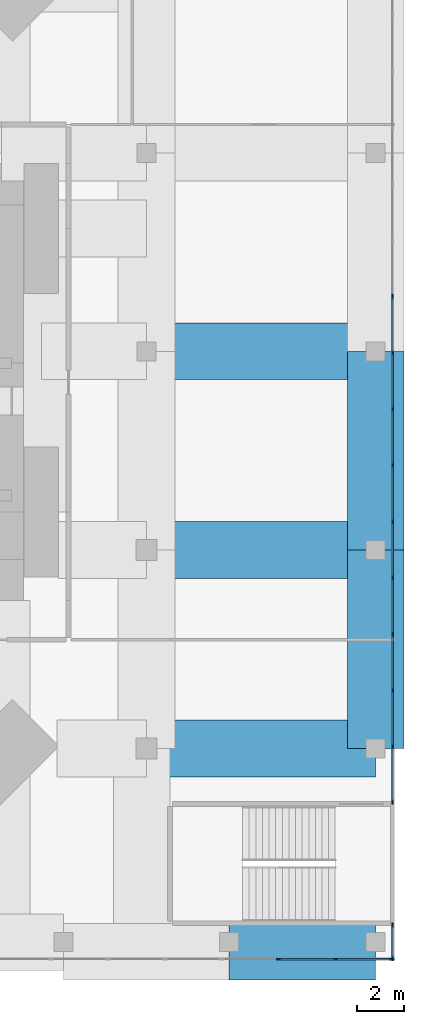
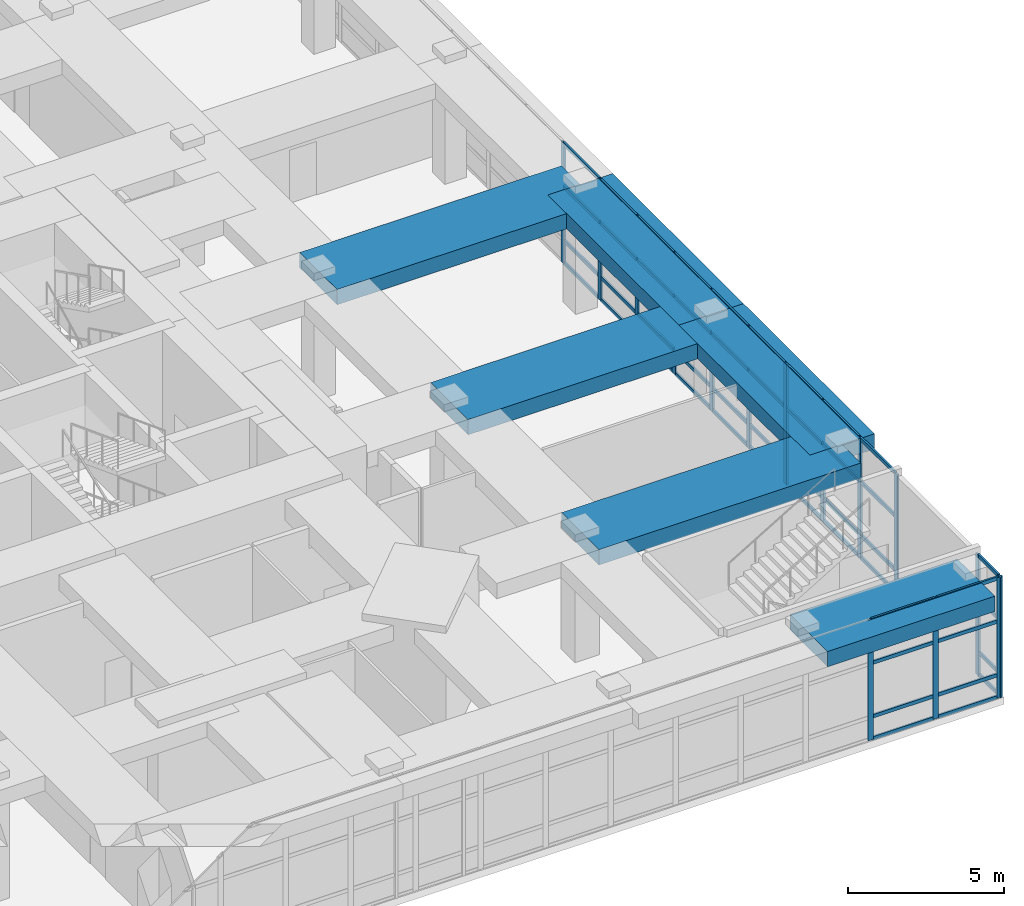
# One storey, part 11 of 22: 63 members, 6 beams, 3 elements without a shape of their own.
"""IFC4 building model written with IfcOpenShell, lengths in metres."""

from ifc_helpers import new_model, si_unit, direction, frame, origin, origin_2d, place, context, subcontext, project, spatial, rectangle, extrude, material, material_profile, profile_set, type_object, element, aggregate, save


model = new_model("IFC4")

# Units and contexts
model_context = context("Model", 3, precision=1e-05, world=origin(), true_north=direction((0.0, 1.0)))
body_context = subcontext(model_context, "Body", "Model", "MODEL_VIEW")
ifc_project = project(units=[si_unit("LENGTHUNIT", "METRE"), si_unit("AREAUNIT", "SQUARE_METRE"), si_unit("VOLUMEUNIT", "CUBIC_METRE"), si_unit("PLANEANGLEUNIT", "RADIAN"), si_unit("MASSUNIT", "GRAM", prefix="KILO")], contexts=[model_context])

# Site, building, storey
site_placement = place(None, origin())
site = spatial("IfcSite", under=ifc_project, at=site_placement, CompositionType="ELEMENT")
building_placement = place(site_placement, origin())
building = spatial("IfcBuilding", under=site, at=building_placement, Name="Jalousie Tower", CompositionType="ELEMENT")
storey_placement = place(building_placement, frame((0.0, 0.0, 6.0)))
storey = spatial("IfcBuildingStorey", under=building, at=storey_placement, Name="L01", CompositionType="ELEMENT", Elevation=6.0)

# Curtain wall, members
ifc_material_1 = material(Name="Aluminium curtain wall", Category="aluminium")
curtain_wall_type = type_object("IfcCurtainWallType", Name="PODIUM WINDOW WALL", PredefinedType="USERDEFINED", material=ifc_material_1)
curtain_wall_1_placement = place(storey_placement, origin())
curtain_wall_1 = element("IfcCurtainWall", 1, at=curtain_wall_1_placement, inside=storey, type_object=curtain_wall_type, Name="Podium Window Wall L01 1", ObjectType="PODIUM WINDOW WALL", PredefinedType="USERDEFINED")
ifc_material_2 = material(Name="Aluminium mullion", Category="aluminium")
ifc_material_profile_1 = material_profile(ifc_material_2, rectangle(XDim=0.070068359375, YDim=0.199951171875, at=origin_2d()), Name="MULLION 70x200")
ifc_profile_set_1 = profile_set([ifc_material_profile_1], Name="Aluminium mullion")
member_type_1 = type_object("IfcMemberType", Name="PODIUM WINDOW WALL MULLION", PredefinedType="MULLION", material=ifc_profile_set_1)
member_1_placement = place(storey_placement, frame((55.096923828125, -5.91259765625, 0.0), z_axis=(0.0, 0.0, 1.0), x_axis=(0.0, 1.0, 0.0)))
member_1 = element("IfcMember", 2, at=member_1_placement, type_object=member_type_1, Name="CW-P mullion 28", PredefinedType="MULLION", context=body_context, shape_type="SweptSolid", body=[
    extrude(rectangle(XDim=0.070068359375, YDim=0.199951171875, at=origin_2d()), origin(), (0.0, 0.0, 1.0), 4.719970703125),
])
member_2_placement = place(storey_placement, frame((57.504638671875, -5.91259765625, 0.0), z_axis=(0.0, 0.0, 1.0), x_axis=(0.0, 1.0, 0.0)))
member_2 = element("IfcMember", 3, at=member_2_placement, type_object=member_type_1, Name="CW-P mullion 29", PredefinedType="MULLION", context=body_context, shape_type="SweptSolid", body=[
    extrude(rectangle(XDim=0.070068359375, YDim=0.199951171875, at=origin_2d()), origin(), (0.0, 0.0, 1.0), 4.719970703125),
])
member_3_placement = place(storey_placement, frame((59.87744140625, -5.91259765625, 0.0), z_axis=(0.0, 0.0, 1.0), x_axis=(0.0, 1.0, 0.0)))
member_3 = element("IfcMember", 4, at=member_3_placement, type_object=member_type_1, Name="CW-P mullion 30", PredefinedType="MULLION", context=body_context, shape_type="SweptSolid", body=[
    extrude(rectangle(XDim=0.070068359375, YDim=0.199951171875, at=origin_2d()), origin(), (0.0, 0.0, 1.0), 4.719970703125),
])

curtain_wall_2_placement = place(storey_placement, origin())
curtain_wall_2 = element("IfcCurtainWall", 5, at=curtain_wall_2_placement, inside=storey, type_object=curtain_wall_type, Name="Podium Window Wall L01 11", ObjectType="PODIUM WINDOW WALL", PredefinedType="USERDEFINED")
member_4_placement = place(storey_placement, frame((59.91259765625, -5.87744140625, 0.0), z_axis=(0.0, 0.0, 1.0), x_axis=(-1.0, 0.0, 0.0)))
member_4 = element("IfcMember", 6, at=member_4_placement, type_object=member_type_1, Name="CW-P mullion 1", PredefinedType="MULLION", context=body_context, shape_type="SweptSolid", body=[
    extrude(rectangle(XDim=0.070068359375, YDim=0.199951171875, at=origin_2d()), origin(), (0.0, 0.0, 1.0), 4.719970703125),
])
member_5_placement = place(storey_placement, frame((59.91259765625, -4.485107421875, 0.0), z_axis=(0.0, 0.0, 1.0), x_axis=(-1.0, 0.0, 0.0)))
member_5 = element("IfcMember", 7, at=member_5_placement, type_object=member_type_1, Name="CW-P mullion 2", PredefinedType="MULLION", context=body_context, shape_type="SweptSolid", body=[
    extrude(rectangle(XDim=0.070068359375, YDim=0.199951171875, at=origin_2d()), origin(), (0.0, 0.0, 1.0), 4.719970703125),
])

curtain_wall_3_placement = place(storey_placement, origin())
curtain_wall_3 = element("IfcCurtainWall", 8, at=curtain_wall_3_placement, inside=storey, type_object=curtain_wall_type, Name="Podium Window Wall L01 13", ObjectType="PODIUM WINDOW WALL", PredefinedType="USERDEFINED")
member_6_placement = place(storey_placement, frame((59.91259765625, 0.735107421875, 0.0), z_axis=(0.0, 0.0, 1.0), x_axis=(-1.0, 0.0, 0.0)))
member_6 = element("IfcMember", 9, at=member_6_placement, type_object=member_type_1, Name="CW-P mullion 1", PredefinedType="MULLION", context=body_context, shape_type="SweptSolid", body=[
    extrude(rectangle(XDim=0.070068359375, YDim=0.199951171875, at=origin_2d()), origin(), (0.0, 0.0, 1.0), 4.719970703125),
])
member_7_placement = place(storey_placement, frame((59.91259765625, 3.07958984375, 0.0), z_axis=(0.0, 0.0, 1.0), x_axis=(-1.0, 0.0, 0.0)))
member_7 = element("IfcMember", 10, at=member_7_placement, type_object=member_type_1, Name="CW-P mullion 2", PredefinedType="MULLION", context=body_context, shape_type="SweptSolid", body=[
    extrude(rectangle(XDim=0.070068359375, YDim=0.199951171875, at=origin_2d()), origin(), (0.0, 0.0, 1.0), 4.719970703125),
])
member_8_placement = place(storey_placement, frame((59.91259765625, 5.459228515625, 0.0), z_axis=(0.0, 0.0, 1.0), x_axis=(-1.0, 0.0, 0.0)))
member_8 = element("IfcMember", 11, at=member_8_placement, type_object=member_type_1, Name="CW-P mullion 3", PredefinedType="MULLION", context=body_context, shape_type="SweptSolid", body=[
    extrude(rectangle(XDim=0.070068359375, YDim=0.199951171875, at=origin_2d()), origin(), (0.0, 0.0, 1.0), 4.719970703125),
])
member_9_placement = place(storey_placement, frame((59.91259765625, 7.8388671875, 0.0), z_axis=(0.0, 0.0, 1.0), x_axis=(-1.0, 0.0, 0.0)))
member_9 = element("IfcMember", 12, at=member_9_placement, type_object=member_type_1, Name="CW-P mullion 4", PredefinedType="MULLION", context=body_context, shape_type="SweptSolid", body=[
    extrude(rectangle(XDim=0.070068359375, YDim=0.199951171875, at=origin_2d()), origin(), (0.0, 0.0, 1.0), 4.719970703125),
])
member_10_placement = place(storey_placement, frame((59.91259765625, 10.218505859375, 0.0), z_axis=(0.0, 0.0, 1.0), x_axis=(-1.0, 0.0, 0.0)))
member_10 = element("IfcMember", 13, at=member_10_placement, type_object=member_type_1, Name="CW-P mullion 5", PredefinedType="MULLION", context=body_context, shape_type="SweptSolid", body=[
    extrude(rectangle(XDim=0.070068359375, YDim=0.199951171875, at=origin_2d()), origin(), (0.0, 0.0, 1.0), 4.719970703125),
])
member_11_placement = place(storey_placement, frame((59.91259765625, 12.59814453125, 0.0), z_axis=(0.0, 0.0, 1.0), x_axis=(-1.0, 0.0, 0.0)))
member_11 = element("IfcMember", 14, at=member_11_placement, type_object=member_type_1, Name="CW-P mullion 6", PredefinedType="MULLION", context=body_context, shape_type="SweptSolid", body=[
    extrude(rectangle(XDim=0.070068359375, YDim=0.199951171875, at=origin_2d()), origin(), (0.0, 0.0, 1.0), 4.719970703125),
])
member_12_placement = place(storey_placement, frame((59.91259765625, 14.9775390625, 0.0), z_axis=(0.0, 0.0, 1.0), x_axis=(-1.0, 0.0, 0.0)))
member_12 = element("IfcMember", 15, at=member_12_placement, type_object=member_type_1, Name="CW-P mullion 7", PredefinedType="MULLION", context=body_context, shape_type="SweptSolid", body=[
    extrude(rectangle(XDim=0.070068359375, YDim=0.199951171875, at=origin_2d()), origin(), (0.0, 0.0, 1.0), 4.719970703125),
])
member_13_placement = place(storey_placement, frame((59.91259765625, 17.357177734375, 0.0), z_axis=(0.0, 0.0, 1.0), x_axis=(-1.0, 0.0, 0.0)))
member_13 = element("IfcMember", 16, at=member_13_placement, type_object=member_type_1, Name="CW-P mullion 8", PredefinedType="MULLION", context=body_context, shape_type="SweptSolid", body=[
    extrude(rectangle(XDim=0.070068359375, YDim=0.199951171875, at=origin_2d()), origin(), (0.0, 0.0, 1.0), 4.719970703125),
])
member_14_placement = place(storey_placement, frame((59.91259765625, 19.73681640625, 0.0), z_axis=(0.0, 0.0, 1.0), x_axis=(-1.0, 0.0, 0.0)))
member_14 = element("IfcMember", 17, at=member_14_placement, type_object=member_type_1, Name="CW-P mullion 9", PredefinedType="MULLION", context=body_context, shape_type="SweptSolid", body=[
    extrude(rectangle(XDim=0.070068359375, YDim=0.199951171875, at=origin_2d()), origin(), (0.0, 0.0, 1.0), 4.719970703125),
])
member_15_placement = place(storey_placement, frame((59.91259765625, 22.116455078125, 0.0), z_axis=(0.0, 0.0, 1.0), x_axis=(-1.0, 0.0, 0.0)))
member_15 = element("IfcMember", 18, at=member_15_placement, type_object=member_type_1, Name="CW-P mullion 10", PredefinedType="MULLION", context=body_context, shape_type="SweptSolid", body=[
    extrude(rectangle(XDim=0.070068359375, YDim=0.199951171875, at=origin_2d()), origin(), (0.0, 0.0, 1.0), 4.719970703125),
])

# Member
ifc_material_3 = material(Name="Aluminium transom", Category="aluminium")
ifc_material_profile_2 = material_profile(ifc_material_3, rectangle(XDim=0.070068359375, YDim=0.139892578125, at=origin_2d()), Name="TRANSOM 70x140")
ifc_profile_set_2 = profile_set([ifc_material_profile_2], Name="Aluminium transom")
member_type_2 = type_object("IfcMemberType", Name="PODIUM WINDOW WALL TRANSOM", PredefinedType="USERDEFINED", material=ifc_profile_set_2)
member_16_placement = place(storey_placement, frame((55.132080078125, -5.91259765625, 0.034912109375), z_axis=(1.0, 0.0, 0.0), x_axis=(0.0, 1.0, 0.0)))
member_16 = element("IfcMember", 19, at=member_16_placement, type_object=member_type_2, Name="CW-P transom 28.1", ObjectType="TRANSOM", PredefinedType="USERDEFINED", context=body_context, shape_type="SweptSolid", body=[
    extrude(rectangle(XDim=0.070068359375, YDim=0.139892578125, at=origin_2d()), origin(), (0.0, 0.0, 1.0), 2.337646484375),
])

member_17_placement = place(storey_placement, frame((55.132080078125, -5.91259765625, 0.89990234375), z_axis=(1.0, 0.0, 0.0), x_axis=(0.0, 1.0, 0.0)))
member_17 = element("IfcMember", 20, at=member_17_placement, type_object=member_type_2, Name="CW-P transom 28.2", ObjectType="TRANSOM", PredefinedType="USERDEFINED", context=body_context, shape_type="SweptSolid", body=[
    extrude(rectangle(XDim=0.070068359375, YDim=0.139892578125, at=origin_2d()), origin(), (0.0, 0.0, 1.0), 2.337646484375),
])

member_18_placement = place(storey_placement, frame((55.132080078125, -5.91259765625, 3.0), z_axis=(1.0, 0.0, 0.0), x_axis=(0.0, 1.0, 0.0)))
member_18 = element("IfcMember", 21, at=member_18_placement, type_object=member_type_2, Name="CW-P transom 28.3", ObjectType="TRANSOM", PredefinedType="USERDEFINED", context=body_context, shape_type="SweptSolid", body=[
    extrude(rectangle(XDim=0.070068359375, YDim=0.139892578125, at=origin_2d()), origin(), (0.0, 0.0, 1.0), 2.337646484375),
])

member_19_placement = place(storey_placement, frame((55.132080078125, -5.91259765625, 4.68505859375), z_axis=(1.0, 0.0, 0.0), x_axis=(0.0, 1.0, 0.0)))
member_19 = element("IfcMember", 22, at=member_19_placement, type_object=member_type_2, Name="CW-P transom 28.4", ObjectType="TRANSOM", PredefinedType="USERDEFINED", context=body_context, shape_type="SweptSolid", body=[
    extrude(rectangle(XDim=0.070068359375, YDim=0.139892578125, at=origin_2d()), origin(), (0.0, 0.0, 1.0), 2.337646484375),
])

member_20_placement = place(storey_placement, frame((57.539794921875, -5.91259765625, 0.034912109375), z_axis=(1.0, 0.0, 0.0), x_axis=(0.0, 1.0, 0.0)))
member_20 = element("IfcMember", 23, at=member_20_placement, type_object=member_type_2, Name="CW-P transom 29.1", ObjectType="TRANSOM", PredefinedType="USERDEFINED", context=body_context, shape_type="SweptSolid", body=[
    extrude(rectangle(XDim=0.070068359375, YDim=0.139892578125, at=origin_2d()), origin(), (0.0, 0.0, 1.0), 2.302734375),
])

member_21_placement = place(storey_placement, frame((57.539794921875, -5.91259765625, 0.89990234375), z_axis=(1.0, 0.0, 0.0), x_axis=(0.0, 1.0, 0.0)))
member_21 = element("IfcMember", 24, at=member_21_placement, type_object=member_type_2, Name="CW-P transom 29.2", ObjectType="TRANSOM", PredefinedType="USERDEFINED", context=body_context, shape_type="SweptSolid", body=[
    extrude(rectangle(XDim=0.070068359375, YDim=0.139892578125, at=origin_2d()), origin(), (0.0, 0.0, 1.0), 2.302734375),
])

member_22_placement = place(storey_placement, frame((57.539794921875, -5.91259765625, 3.0), z_axis=(1.0, 0.0, 0.0), x_axis=(0.0, 1.0, 0.0)))
member_22 = element("IfcMember", 25, at=member_22_placement, type_object=member_type_2, Name="CW-P transom 29.3", ObjectType="TRANSOM", PredefinedType="USERDEFINED", context=body_context, shape_type="SweptSolid", body=[
    extrude(rectangle(XDim=0.070068359375, YDim=0.139892578125, at=origin_2d()), origin(), (0.0, 0.0, 1.0), 2.302734375),
])

member_23_placement = place(storey_placement, frame((57.539794921875, -5.91259765625, 4.68505859375), z_axis=(1.0, 0.0, 0.0), x_axis=(0.0, 1.0, 0.0)))
member_23 = element("IfcMember", 26, at=member_23_placement, type_object=member_type_2, Name="CW-P transom 29.4", ObjectType="TRANSOM", PredefinedType="USERDEFINED", context=body_context, shape_type="SweptSolid", body=[
    extrude(rectangle(XDim=0.070068359375, YDim=0.139892578125, at=origin_2d()), origin(), (0.0, 0.0, 1.0), 2.302734375),
])

aggregate(curtain_wall_1, [member_1, member_2, member_3, member_16, member_17, member_18, member_19, member_20, member_21, member_22, member_23])

member_24_placement = place(storey_placement, frame((59.91259765625, -5.842529296875, 0.034912109375), z_axis=(0.0, 1.0, 0.0), x_axis=(-1.0, 0.0, 0.0)))
member_24 = element("IfcMember", 27, at=member_24_placement, type_object=member_type_2, Name="CW-P transom 1.1", ObjectType="TRANSOM", PredefinedType="USERDEFINED", context=body_context, shape_type="SweptSolid", body=[
    extrude(rectangle(XDim=0.070068359375, YDim=0.139892578125, at=origin_2d()), origin(), (0.0, 0.0, 1.0), 1.322509765625),
])

member_25_placement = place(storey_placement, frame((59.91259765625, -5.842529296875, 0.89990234375), z_axis=(0.0, 1.0, 0.0), x_axis=(-1.0, 0.0, 0.0)))
member_25 = element("IfcMember", 28, at=member_25_placement, type_object=member_type_2, Name="CW-P transom 1.2", ObjectType="TRANSOM", PredefinedType="USERDEFINED", context=body_context, shape_type="SweptSolid", body=[
    extrude(rectangle(XDim=0.070068359375, YDim=0.139892578125, at=origin_2d()), origin(), (0.0, 0.0, 1.0), 1.322509765625),
])

member_26_placement = place(storey_placement, frame((59.91259765625, -5.842529296875, 3.0), z_axis=(0.0, 1.0, 0.0), x_axis=(-1.0, 0.0, 0.0)))
member_26 = element("IfcMember", 29, at=member_26_placement, type_object=member_type_2, Name="CW-P transom 1.3", ObjectType="TRANSOM", PredefinedType="USERDEFINED", context=body_context, shape_type="SweptSolid", body=[
    extrude(rectangle(XDim=0.070068359375, YDim=0.139892578125, at=origin_2d()), origin(), (0.0, 0.0, 1.0), 1.322509765625),
])

member_27_placement = place(storey_placement, frame((59.91259765625, -5.842529296875, 4.68505859375), z_axis=(0.0, 1.0, 0.0), x_axis=(-1.0, 0.0, 0.0)))
member_27 = element("IfcMember", 30, at=member_27_placement, type_object=member_type_2, Name="CW-P transom 1.4", ObjectType="TRANSOM", PredefinedType="USERDEFINED", context=body_context, shape_type="SweptSolid", body=[
    extrude(rectangle(XDim=0.070068359375, YDim=0.139892578125, at=origin_2d()), origin(), (0.0, 0.0, 1.0), 1.322509765625),
])

aggregate(curtain_wall_2, [member_4, member_5, member_24, member_25, member_26, member_27])

member_28_placement = place(storey_placement, frame((59.91259765625, 0.77001953125, 0.034912109375), z_axis=(0.0, 1.0, 0.0), x_axis=(-1.0, 0.0, 0.0)))
member_28 = element("IfcMember", 31, at=member_28_placement, type_object=member_type_2, Name="CW-P transom 1.1", ObjectType="TRANSOM", PredefinedType="USERDEFINED", context=body_context, shape_type="SweptSolid", body=[
    extrude(rectangle(XDim=0.070068359375, YDim=0.139892578125, at=origin_2d()), origin(), (0.0, 0.0, 1.0), 2.274658203125),
])

member_29_placement = place(storey_placement, frame((59.91259765625, 0.77001953125, 0.89990234375), z_axis=(0.0, 1.0, 0.0), x_axis=(-1.0, 0.0, 0.0)))
member_29 = element("IfcMember", 32, at=member_29_placement, type_object=member_type_2, Name="CW-P transom 1.2", ObjectType="TRANSOM", PredefinedType="USERDEFINED", context=body_context, shape_type="SweptSolid", body=[
    extrude(rectangle(XDim=0.070068359375, YDim=0.139892578125, at=origin_2d()), origin(), (0.0, 0.0, 1.0), 2.274658203125),
])

member_30_placement = place(storey_placement, frame((59.91259765625, 0.77001953125, 3.0), z_axis=(0.0, 1.0, 0.0), x_axis=(-1.0, 0.0, 0.0)))
member_30 = element("IfcMember", 33, at=member_30_placement, type_object=member_type_2, Name="CW-P transom 1.3", ObjectType="TRANSOM", PredefinedType="USERDEFINED", context=body_context, shape_type="SweptSolid", body=[
    extrude(rectangle(XDim=0.070068359375, YDim=0.139892578125, at=origin_2d()), origin(), (0.0, 0.0, 1.0), 2.274658203125),
])

member_31_placement = place(storey_placement, frame((59.91259765625, 0.77001953125, 4.68505859375), z_axis=(0.0, 1.0, 0.0), x_axis=(-1.0, 0.0, 0.0)))
member_31 = element("IfcMember", 34, at=member_31_placement, type_object=member_type_2, Name="CW-P transom 1.4", ObjectType="TRANSOM", PredefinedType="USERDEFINED", context=body_context, shape_type="SweptSolid", body=[
    extrude(rectangle(XDim=0.070068359375, YDim=0.139892578125, at=origin_2d()), origin(), (0.0, 0.0, 1.0), 2.274658203125),
])

member_32_placement = place(storey_placement, frame((59.91259765625, 3.114501953125, 0.034912109375), z_axis=(0.0, 1.0, 0.0), x_axis=(-1.0, 0.0, 0.0)))
member_32 = element("IfcMember", 35, at=member_32_placement, type_object=member_type_2, Name="CW-P transom 2.1", ObjectType="TRANSOM", PredefinedType="USERDEFINED", context=body_context, shape_type="SweptSolid", body=[
    extrude(rectangle(XDim=0.070068359375, YDim=0.139892578125, at=origin_2d()), origin(), (0.0, 0.0, 1.0), 2.309814453125),
])

member_33_placement = place(storey_placement, frame((59.91259765625, 3.114501953125, 0.89990234375), z_axis=(0.0, 1.0, 0.0), x_axis=(-1.0, 0.0, 0.0)))
member_33 = element("IfcMember", 36, at=member_33_placement, type_object=member_type_2, Name="CW-P transom 2.2", ObjectType="TRANSOM", PredefinedType="USERDEFINED", context=body_context, shape_type="SweptSolid", body=[
    extrude(rectangle(XDim=0.070068359375, YDim=0.139892578125, at=origin_2d()), origin(), (0.0, 0.0, 1.0), 2.309814453125),
])

member_34_placement = place(storey_placement, frame((59.91259765625, 3.114501953125, 3.0), z_axis=(0.0, 1.0, 0.0), x_axis=(-1.0, 0.0, 0.0)))
member_34 = element("IfcMember", 37, at=member_34_placement, type_object=member_type_2, Name="CW-P transom 2.3", ObjectType="TRANSOM", PredefinedType="USERDEFINED", context=body_context, shape_type="SweptSolid", body=[
    extrude(rectangle(XDim=0.070068359375, YDim=0.139892578125, at=origin_2d()), origin(), (0.0, 0.0, 1.0), 2.309814453125),
])

member_35_placement = place(storey_placement, frame((59.91259765625, 3.114501953125, 4.68505859375), z_axis=(0.0, 1.0, 0.0), x_axis=(-1.0, 0.0, 0.0)))
member_35 = element("IfcMember", 38, at=member_35_placement, type_object=member_type_2, Name="CW-P transom 2.4", ObjectType="TRANSOM", PredefinedType="USERDEFINED", context=body_context, shape_type="SweptSolid", body=[
    extrude(rectangle(XDim=0.070068359375, YDim=0.139892578125, at=origin_2d()), origin(), (0.0, 0.0, 1.0), 2.309814453125),
])

member_36_placement = place(storey_placement, frame((59.91259765625, 5.494140625, 0.034912109375), z_axis=(0.0, 1.0, 0.0), x_axis=(-1.0, 0.0, 0.0)))
member_36 = element("IfcMember", 39, at=member_36_placement, type_object=member_type_2, Name="CW-P transom 3.1", ObjectType="TRANSOM", PredefinedType="USERDEFINED", context=body_context, shape_type="SweptSolid", body=[
    extrude(rectangle(XDim=0.070068359375, YDim=0.139892578125, at=origin_2d()), origin(), (0.0, 0.0, 1.0), 2.3095703125),
])

member_37_placement = place(storey_placement, frame((59.91259765625, 5.494140625, 0.89990234375), z_axis=(0.0, 1.0, 0.0), x_axis=(-1.0, 0.0, 0.0)))
member_37 = element("IfcMember", 40, at=member_37_placement, type_object=member_type_2, Name="CW-P transom 3.2", ObjectType="TRANSOM", PredefinedType="USERDEFINED", context=body_context, shape_type="SweptSolid", body=[
    extrude(rectangle(XDim=0.070068359375, YDim=0.139892578125, at=origin_2d()), origin(), (0.0, 0.0, 1.0), 2.3095703125),
])

member_38_placement = place(storey_placement, frame((59.91259765625, 5.494140625, 3.0), z_axis=(0.0, 1.0, 0.0), x_axis=(-1.0, 0.0, 0.0)))
member_38 = element("IfcMember", 41, at=member_38_placement, type_object=member_type_2, Name="CW-P transom 3.3", ObjectType="TRANSOM", PredefinedType="USERDEFINED", context=body_context, shape_type="SweptSolid", body=[
    extrude(rectangle(XDim=0.070068359375, YDim=0.139892578125, at=origin_2d()), origin(), (0.0, 0.0, 1.0), 2.3095703125),
])

member_39_placement = place(storey_placement, frame((59.91259765625, 5.494140625, 4.68505859375), z_axis=(0.0, 1.0, 0.0), x_axis=(-1.0, 0.0, 0.0)))
member_39 = element("IfcMember", 42, at=member_39_placement, type_object=member_type_2, Name="CW-P transom 3.4", ObjectType="TRANSOM", PredefinedType="USERDEFINED", context=body_context, shape_type="SweptSolid", body=[
    extrude(rectangle(XDim=0.070068359375, YDim=0.139892578125, at=origin_2d()), origin(), (0.0, 0.0, 1.0), 2.3095703125),
])

member_40_placement = place(storey_placement, frame((59.91259765625, 7.873779296875, 0.034912109375), z_axis=(0.0, 1.0, 0.0), x_axis=(-1.0, 0.0, 0.0)))
member_40 = element("IfcMember", 43, at=member_40_placement, type_object=member_type_2, Name="CW-P transom 4.1", ObjectType="TRANSOM", PredefinedType="USERDEFINED", context=body_context, shape_type="SweptSolid", body=[
    extrude(rectangle(XDim=0.070068359375, YDim=0.139892578125, at=origin_2d()), origin(), (0.0, 0.0, 1.0), 2.3095703125),
])

member_41_placement = place(storey_placement, frame((59.91259765625, 7.873779296875, 0.89990234375), z_axis=(0.0, 1.0, 0.0), x_axis=(-1.0, 0.0, 0.0)))
member_41 = element("IfcMember", 44, at=member_41_placement, type_object=member_type_2, Name="CW-P transom 4.2", ObjectType="TRANSOM", PredefinedType="USERDEFINED", context=body_context, shape_type="SweptSolid", body=[
    extrude(rectangle(XDim=0.070068359375, YDim=0.139892578125, at=origin_2d()), origin(), (0.0, 0.0, 1.0), 2.3095703125),
])

member_42_placement = place(storey_placement, frame((59.91259765625, 7.873779296875, 3.0), z_axis=(0.0, 1.0, 0.0), x_axis=(-1.0, 0.0, 0.0)))
member_42 = element("IfcMember", 45, at=member_42_placement, type_object=member_type_2, Name="CW-P transom 4.3", ObjectType="TRANSOM", PredefinedType="USERDEFINED", context=body_context, shape_type="SweptSolid", body=[
    extrude(rectangle(XDim=0.070068359375, YDim=0.139892578125, at=origin_2d()), origin(), (0.0, 0.0, 1.0), 2.3095703125),
])

member_43_placement = place(storey_placement, frame((59.91259765625, 7.873779296875, 4.68505859375), z_axis=(0.0, 1.0, 0.0), x_axis=(-1.0, 0.0, 0.0)))
member_43 = element("IfcMember", 46, at=member_43_placement, type_object=member_type_2, Name="CW-P transom 4.4", ObjectType="TRANSOM", PredefinedType="USERDEFINED", context=body_context, shape_type="SweptSolid", body=[
    extrude(rectangle(XDim=0.070068359375, YDim=0.139892578125, at=origin_2d()), origin(), (0.0, 0.0, 1.0), 2.3095703125),
])

member_44_placement = place(storey_placement, frame((59.91259765625, 10.25341796875, 0.034912109375), z_axis=(0.0, 1.0, 0.0), x_axis=(-1.0, 0.0, 0.0)))
member_44 = element("IfcMember", 47, at=member_44_placement, type_object=member_type_2, Name="CW-P transom 5.1", ObjectType="TRANSOM", PredefinedType="USERDEFINED", context=body_context, shape_type="SweptSolid", body=[
    extrude(rectangle(XDim=0.070068359375, YDim=0.139892578125, at=origin_2d()), origin(), (0.0, 0.0, 1.0), 2.3095703125),
])

member_45_placement = place(storey_placement, frame((59.91259765625, 10.25341796875, 0.89990234375), z_axis=(0.0, 1.0, 0.0), x_axis=(-1.0, 0.0, 0.0)))
member_45 = element("IfcMember", 48, at=member_45_placement, type_object=member_type_2, Name="CW-P transom 5.2", ObjectType="TRANSOM", PredefinedType="USERDEFINED", context=body_context, shape_type="SweptSolid", body=[
    extrude(rectangle(XDim=0.070068359375, YDim=0.139892578125, at=origin_2d()), origin(), (0.0, 0.0, 1.0), 2.3095703125),
])

member_46_placement = place(storey_placement, frame((59.91259765625, 10.25341796875, 3.0), z_axis=(0.0, 1.0, 0.0), x_axis=(-1.0, 0.0, 0.0)))
member_46 = element("IfcMember", 49, at=member_46_placement, type_object=member_type_2, Name="CW-P transom 5.3", ObjectType="TRANSOM", PredefinedType="USERDEFINED", context=body_context, shape_type="SweptSolid", body=[
    extrude(rectangle(XDim=0.070068359375, YDim=0.139892578125, at=origin_2d()), origin(), (0.0, 0.0, 1.0), 2.3095703125),
])

member_47_placement = place(storey_placement, frame((59.91259765625, 10.25341796875, 4.68505859375), z_axis=(0.0, 1.0, 0.0), x_axis=(-1.0, 0.0, 0.0)))
member_47 = element("IfcMember", 50, at=member_47_placement, type_object=member_type_2, Name="CW-P transom 5.4", ObjectType="TRANSOM", PredefinedType="USERDEFINED", context=body_context, shape_type="SweptSolid", body=[
    extrude(rectangle(XDim=0.070068359375, YDim=0.139892578125, at=origin_2d()), origin(), (0.0, 0.0, 1.0), 2.3095703125),
])

member_48_placement = place(storey_placement, frame((59.91259765625, 12.633056640625, 0.034912109375), z_axis=(0.0, 1.0, 0.0), x_axis=(-1.0, 0.0, 0.0)))
member_48 = element("IfcMember", 51, at=member_48_placement, type_object=member_type_2, Name="CW-P transom 6.1", ObjectType="TRANSOM", PredefinedType="USERDEFINED", context=body_context, shape_type="SweptSolid", body=[
    extrude(rectangle(XDim=0.070068359375, YDim=0.139892578125, at=origin_2d()), origin(), (0.0, 0.0, 1.0), 2.3095703125),
])

member_49_placement = place(storey_placement, frame((59.91259765625, 12.633056640625, 0.89990234375), z_axis=(0.0, 1.0, 0.0), x_axis=(-1.0, 0.0, 0.0)))
member_49 = element("IfcMember", 52, at=member_49_placement, type_object=member_type_2, Name="CW-P transom 6.2", ObjectType="TRANSOM", PredefinedType="USERDEFINED", context=body_context, shape_type="SweptSolid", body=[
    extrude(rectangle(XDim=0.070068359375, YDim=0.139892578125, at=origin_2d()), origin(), (0.0, 0.0, 1.0), 2.3095703125),
])

member_50_placement = place(storey_placement, frame((59.91259765625, 12.633056640625, 3.0), z_axis=(0.0, 1.0, 0.0), x_axis=(-1.0, 0.0, 0.0)))
member_50 = element("IfcMember", 53, at=member_50_placement, type_object=member_type_2, Name="CW-P transom 6.3", ObjectType="TRANSOM", PredefinedType="USERDEFINED", context=body_context, shape_type="SweptSolid", body=[
    extrude(rectangle(XDim=0.070068359375, YDim=0.139892578125, at=origin_2d()), origin(), (0.0, 0.0, 1.0), 2.3095703125),
])

member_51_placement = place(storey_placement, frame((59.91259765625, 12.633056640625, 4.68505859375), z_axis=(0.0, 1.0, 0.0), x_axis=(-1.0, 0.0, 0.0)))
member_51 = element("IfcMember", 54, at=member_51_placement, type_object=member_type_2, Name="CW-P transom 6.4", ObjectType="TRANSOM", PredefinedType="USERDEFINED", context=body_context, shape_type="SweptSolid", body=[
    extrude(rectangle(XDim=0.070068359375, YDim=0.139892578125, at=origin_2d()), origin(), (0.0, 0.0, 1.0), 2.3095703125),
])

member_52_placement = place(storey_placement, frame((59.91259765625, 15.0126953125, 0.034912109375), z_axis=(0.0, 1.0, 0.0), x_axis=(-1.0, 0.0, 0.0)))
member_52 = element("IfcMember", 55, at=member_52_placement, type_object=member_type_2, Name="CW-P transom 7.1", ObjectType="TRANSOM", PredefinedType="USERDEFINED", context=body_context, shape_type="SweptSolid", body=[
    extrude(rectangle(XDim=0.070068359375, YDim=0.139892578125, at=origin_2d()), origin(), (0.0, 0.0, 1.0), 2.3095703125),
])

member_53_placement = place(storey_placement, frame((59.91259765625, 15.0126953125, 0.89990234375), z_axis=(0.0, 1.0, 0.0), x_axis=(-1.0, 0.0, 0.0)))
member_53 = element("IfcMember", 56, at=member_53_placement, type_object=member_type_2, Name="CW-P transom 7.2", ObjectType="TRANSOM", PredefinedType="USERDEFINED", context=body_context, shape_type="SweptSolid", body=[
    extrude(rectangle(XDim=0.070068359375, YDim=0.139892578125, at=origin_2d()), origin(), (0.0, 0.0, 1.0), 2.3095703125),
])

member_54_placement = place(storey_placement, frame((59.91259765625, 15.0126953125, 3.0), z_axis=(0.0, 1.0, 0.0), x_axis=(-1.0, 0.0, 0.0)))
member_54 = element("IfcMember", 57, at=member_54_placement, type_object=member_type_2, Name="CW-P transom 7.3", ObjectType="TRANSOM", PredefinedType="USERDEFINED", context=body_context, shape_type="SweptSolid", body=[
    extrude(rectangle(XDim=0.070068359375, YDim=0.139892578125, at=origin_2d()), origin(), (0.0, 0.0, 1.0), 2.3095703125),
])

member_55_placement = place(storey_placement, frame((59.91259765625, 15.0126953125, 4.68505859375), z_axis=(0.0, 1.0, 0.0), x_axis=(-1.0, 0.0, 0.0)))
member_55 = element("IfcMember", 58, at=member_55_placement, type_object=member_type_2, Name="CW-P transom 7.4", ObjectType="TRANSOM", PredefinedType="USERDEFINED", context=body_context, shape_type="SweptSolid", body=[
    extrude(rectangle(XDim=0.070068359375, YDim=0.139892578125, at=origin_2d()), origin(), (0.0, 0.0, 1.0), 2.3095703125),
])

member_56_placement = place(storey_placement, frame((59.91259765625, 17.392333984375, 0.034912109375), z_axis=(0.0, 1.0, 0.0), x_axis=(-1.0, 0.0, 0.0)))
member_56 = element("IfcMember", 59, at=member_56_placement, type_object=member_type_2, Name="CW-P transom 8.1", ObjectType="TRANSOM", PredefinedType="USERDEFINED", context=body_context, shape_type="SweptSolid", body=[
    extrude(rectangle(XDim=0.070068359375, YDim=0.139892578125, at=origin_2d()), origin(), (0.0, 0.0, 1.0), 2.3095703125),
])

member_57_placement = place(storey_placement, frame((59.91259765625, 17.392333984375, 0.89990234375), z_axis=(0.0, 1.0, 0.0), x_axis=(-1.0, 0.0, 0.0)))
member_57 = element("IfcMember", 60, at=member_57_placement, type_object=member_type_2, Name="CW-P transom 8.2", ObjectType="TRANSOM", PredefinedType="USERDEFINED", context=body_context, shape_type="SweptSolid", body=[
    extrude(rectangle(XDim=0.070068359375, YDim=0.139892578125, at=origin_2d()), origin(), (0.0, 0.0, 1.0), 2.3095703125),
])

member_58_placement = place(storey_placement, frame((59.91259765625, 17.392333984375, 3.0), z_axis=(0.0, 1.0, 0.0), x_axis=(-1.0, 0.0, 0.0)))
member_58 = element("IfcMember", 61, at=member_58_placement, type_object=member_type_2, Name="CW-P transom 8.3", ObjectType="TRANSOM", PredefinedType="USERDEFINED", context=body_context, shape_type="SweptSolid", body=[
    extrude(rectangle(XDim=0.070068359375, YDim=0.139892578125, at=origin_2d()), origin(), (0.0, 0.0, 1.0), 2.3095703125),
])

member_59_placement = place(storey_placement, frame((59.91259765625, 17.392333984375, 4.68505859375), z_axis=(0.0, 1.0, 0.0), x_axis=(-1.0, 0.0, 0.0)))
member_59 = element("IfcMember", 62, at=member_59_placement, type_object=member_type_2, Name="CW-P transom 8.4", ObjectType="TRANSOM", PredefinedType="USERDEFINED", context=body_context, shape_type="SweptSolid", body=[
    extrude(rectangle(XDim=0.070068359375, YDim=0.139892578125, at=origin_2d()), origin(), (0.0, 0.0, 1.0), 2.3095703125),
])

member_60_placement = place(storey_placement, frame((59.91259765625, 19.771728515625, 0.034912109375), z_axis=(0.0, 1.0, 0.0), x_axis=(-1.0, 0.0, 0.0)))
member_60 = element("IfcMember", 63, at=member_60_placement, type_object=member_type_2, Name="CW-P transom 9.1", ObjectType="TRANSOM", PredefinedType="USERDEFINED", context=body_context, shape_type="SweptSolid", body=[
    extrude(rectangle(XDim=0.070068359375, YDim=0.139892578125, at=origin_2d()), origin(), (0.0, 0.0, 1.0), 2.309814453125),
])

member_61_placement = place(storey_placement, frame((59.91259765625, 19.771728515625, 0.89990234375), z_axis=(0.0, 1.0, 0.0), x_axis=(-1.0, 0.0, 0.0)))
member_61 = element("IfcMember", 64, at=member_61_placement, type_object=member_type_2, Name="CW-P transom 9.2", ObjectType="TRANSOM", PredefinedType="USERDEFINED", context=body_context, shape_type="SweptSolid", body=[
    extrude(rectangle(XDim=0.070068359375, YDim=0.139892578125, at=origin_2d()), origin(), (0.0, 0.0, 1.0), 2.309814453125),
])

member_62_placement = place(storey_placement, frame((59.91259765625, 19.771728515625, 3.0), z_axis=(0.0, 1.0, 0.0), x_axis=(-1.0, 0.0, 0.0)))
member_62 = element("IfcMember", 65, at=member_62_placement, type_object=member_type_2, Name="CW-P transom 9.3", ObjectType="TRANSOM", PredefinedType="USERDEFINED", context=body_context, shape_type="SweptSolid", body=[
    extrude(rectangle(XDim=0.070068359375, YDim=0.139892578125, at=origin_2d()), origin(), (0.0, 0.0, 1.0), 2.309814453125),
])

member_63_placement = place(storey_placement, frame((59.91259765625, 19.771728515625, 4.68505859375), z_axis=(0.0, 1.0, 0.0), x_axis=(-1.0, 0.0, 0.0)))
member_63 = element("IfcMember", 66, at=member_63_placement, type_object=member_type_2, Name="CW-P transom 9.4", ObjectType="TRANSOM", PredefinedType="USERDEFINED", context=body_context, shape_type="SweptSolid", body=[
    extrude(rectangle(XDim=0.070068359375, YDim=0.139892578125, at=origin_2d()), origin(), (0.0, 0.0, 1.0), 2.309814453125),
])

aggregate(curtain_wall_3, [member_6, member_7, member_8, member_9, member_10, member_11, member_12, member_13, member_14, member_15, member_28, member_29, member_30, member_31, member_32, member_33, member_34, member_35, member_36, member_37, member_38, member_39, member_40, member_41, member_42, member_43, member_44, member_45, member_46, member_47, member_48, member_49, member_50, member_51, member_52, member_53, member_54, member_55, member_56, member_57, member_58, member_59, member_60, member_61, member_62, member_63])

# Beams
ifc_material_4 = material(Name="Concrete f'c 40 MPa", Category="concrete")
ifc_material_profile_3 = material_profile(ifc_material_4, rectangle(XDim=2.39990234375, YDim=0.60009765625, at=origin_2d()), Name="RC 2400x600")
ifc_profile_set_3 = profile_set([ifc_material_profile_3], Name="Concrete f'c 40 MPa")
beam_type = type_object("IfcBeamType", Name="RC BEAM 2400x600", PredefinedType="BEAM", material=ifc_profile_set_3)
for number, where, z_axis, x_axis, name in (
    (67, (49.5, 3.0, 4.419921875), (1.0, 0.0, 0.0), (0.0, 1.0, 0.0), "Floor band beam under L02"),
    (68, (49.5, 11.39990234375, 4.419921875), (1.0, 0.0, 0.0), (0.0, 1.0, 0.0), "Floor band beam under L02"),
    (69, (49.5, 19.800048828125, 4.419921875), (1.0, 0.0, 0.0), (0.0, 1.0, 0.0), "Floor band beam under L02"),
):
    element("IfcBeam", number, at=place(storey_placement, frame(where, z_axis=z_axis, x_axis=x_axis)), inside=storey, type_object=beam_type, Name=name, PredefinedType="BEAM", context=body_context, shape_type="SweptSolid", body=[
        extrude(rectangle(XDim=2.39990234375, YDim=0.60009765625, at=origin_2d()), origin(), (0.0, 0.0, 1.0), 9.699951171875),
    ])
beam_1_placement = place(storey_placement, frame((53.0, -5.60009765625, 4.419921875), z_axis=(1.0, 0.0, 0.0), x_axis=(0.0, 1.0, 0.0)))
element("IfcBeam", 70, at=beam_1_placement, inside=storey, type_object=beam_type, Name="Floor band beam under L02", PredefinedType="BEAM", context=body_context, shape_type="SweptSolid", body=[
    extrude(rectangle(XDim=2.39990234375, YDim=0.60009765625, at=origin_2d()), origin(), (0.0, 0.0, 1.0), 6.199951171875),
])
beam_2_placement = place(storey_placement, frame((59.199951171875, 3.0, 4.419921875), z_axis=(0.0, 1.0, 0.0), x_axis=(-1.0, 0.0, 0.0)))
element("IfcBeam", 71, at=beam_2_placement, inside=storey, type_object=beam_type, Name="Floor band beam under L02", PredefinedType="BEAM", context=body_context, shape_type="SweptSolid", body=[
    extrude(rectangle(XDim=2.39990234375, YDim=0.60009765625, at=origin_2d()), origin(), (0.0, 0.0, 1.0), 8.39990234375),
])
beam_3_placement = place(storey_placement, frame((59.199951171875, 11.39990234375, 4.419921875), z_axis=(0.0, 1.0, 0.0), x_axis=(-1.0, 0.0, 0.0)))
element("IfcBeam", 72, at=beam_3_placement, inside=storey, type_object=beam_type, Name="Floor band beam under L02", PredefinedType="BEAM", context=body_context, shape_type="SweptSolid", body=[
    extrude(rectangle(XDim=2.39990234375, YDim=0.60009765625, at=origin_2d()), origin(), (0.0, 0.0, 1.0), 8.400146484375),
])

save(model, "model.ifc")
